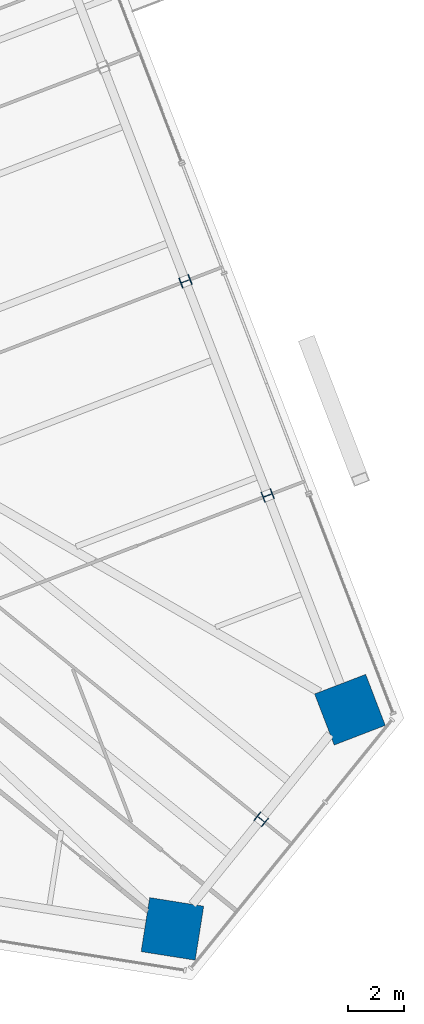
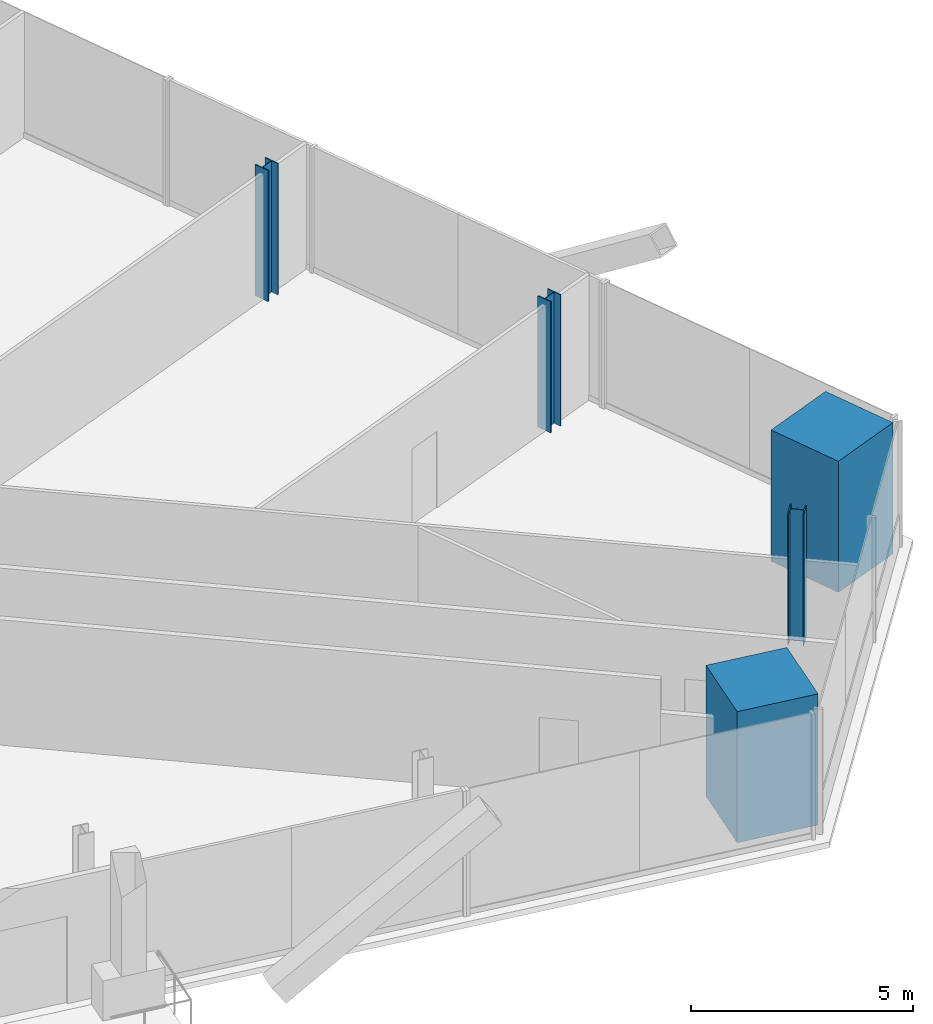
# One storey, part 2 of 19: 5 columns.
"""IFC4 building model written with IfcOpenShell, lengths in metres."""

from ifc_helpers import new_model, si_unit, direction, frame, origin, origin_2d, place, context, subcontext, project, spatial, rectangle, i_section, extrude, source, transform, mapped, material, material_profile, profile_set, type_object, element, save


model = new_model("IFC4")

# Units and contexts
model_context = context("Model", 3, precision=1e-05, world=origin(), true_north=direction((0.0, 1.0)))
body_context = subcontext(model_context, "Body", "Model", "MODEL_VIEW")
ifc_project = project(units=[si_unit("LENGTHUNIT", "METRE"), si_unit("AREAUNIT", "SQUARE_METRE"), si_unit("VOLUMEUNIT", "CUBIC_METRE"), si_unit("PLANEANGLEUNIT", "RADIAN"), si_unit("MASSUNIT", "GRAM", prefix="KILO")], contexts=[model_context])

# Site, building, storey
site_placement = place(None, origin())
site = spatial("IfcSite", under=ifc_project, at=site_placement, CompositionType="ELEMENT")
building_placement = place(site_placement, origin())
building = spatial("IfcBuilding", under=site, at=building_placement, Name="Triune Harvest Tower", CompositionType="ELEMENT")
storey_placement = place(building_placement, frame((0.0, 0.0, 164.10009765625)))
storey = spatial("IfcBuildingStorey", under=building, at=storey_placement, Name="L42", CompositionType="ELEMENT", Elevation=164.10009765625)

# Columns
ifc_material_1 = material(Name="Concrete 70 MPa", Category="concrete")
ifc_material_profile_1 = material_profile(ifc_material_1, rectangle(XDim=1.949951171875, YDim=1.949951171875, at=origin_2d()), Name="Composite 1950x1950")
ifc_profile_set_1 = profile_set([ifc_material_profile_1], Name="Concrete 70 MPa")
column_type_1 = type_object("IfcColumnType", Name="MC-4 Mega column Composite 1950x1950", PredefinedType="COLUMN", material=ifc_profile_set_1)
shared_shape_1 = source(origin(), body_context, "Body", "SweptSolid", [
    extrude(rectangle(XDim=1.949951171875, YDim=1.949951171875, at=origin_2d()), origin(), (0.0, 0.0, 1.0), 3.599853515625),
])
for number, where, z_axis, x_axis, name in (
    (1, (27.425048828125, -15.742431640625, 0.0), (0.0, 0.0, 1.0), (-0.358367949545, 0.933580426497, 0.0), "col/L42/M0"),
    (2, (21.100341796875, -23.552734375, 0.0), (0.0, 0.0, 1.0), (0.987688340595, -0.15643446504, 0.0), "col/L42/M22"),
):
    element("IfcColumn", number, at=place(storey_placement, frame(where, z_axis=z_axis, x_axis=x_axis)), inside=storey, type_object=column_type_1, Name=name, PredefinedType="COLUMN", context=body_context, shape_type="MappedRepresentation", body=[
        mapped(shared_shape_1, transform((0.0, 0.0, 0.0), scale=1.0)),
    ])
ifc_material_2 = material(Name="Steel ASTM A992 Gr 50", Category="steel")
ifc_material_profile_2 = material_profile(ifc_material_2, i_section(OverallWidth=0.373291015625, OverallDepth=0.373291015625, WebThickness=0.016357421875, FlangeThickness=0.026123046875, at=origin_2d()), Name="W14x132")
ifc_profile_set_2 = profile_set([ifc_material_profile_2], Name="Steel ASTM A992 Gr 50")
column_type_2 = type_object("IfcColumnType", Name="PC-4 Perimeter column W14x132", PredefinedType="COLUMN", material=ifc_profile_set_2)
shared_shape_2 = source(origin(), body_context, "Body", "SweptSolid", [
    extrude(i_section(OverallWidth=0.373291015625, OverallDepth=0.373291015625, WebThickness=0.016357421875, FlangeThickness=0.026123046875, at=origin_2d()), origin(), (0.0, 0.0, 1.0), 3.599853515625),
])
for number, where, z_axis, x_axis, name in (
    (3, (24.495361328125, -8.1103515625, 0.0), (0.0, 0.0, 1.0), (-0.358367949545, 0.933580426497, 0.0), "col/L42/P1"),
    (4, (21.565673828125, -0.478271484375, 0.0), (0.0, 0.0, 1.0), (-0.358367949545, 0.933580426497, 0.0), "col/L42/P2"),
    (5, (24.2626953125, -19.647705078125, 1.199951171875), (0.0, 0.0, 1.0), (0.629321747424, 0.777144863084, 0.0), "col/L42/P23"),
):
    element("IfcColumn", number, at=place(storey_placement, frame(where, z_axis=z_axis, x_axis=x_axis)), inside=storey, type_object=column_type_2, Name=name, PredefinedType="COLUMN", context=body_context, shape_type="MappedRepresentation", body=[
        mapped(shared_shape_2, transform((0.0, 0.0, 0.0), scale=1.0)),
    ])

save(model, "model.ifc")
